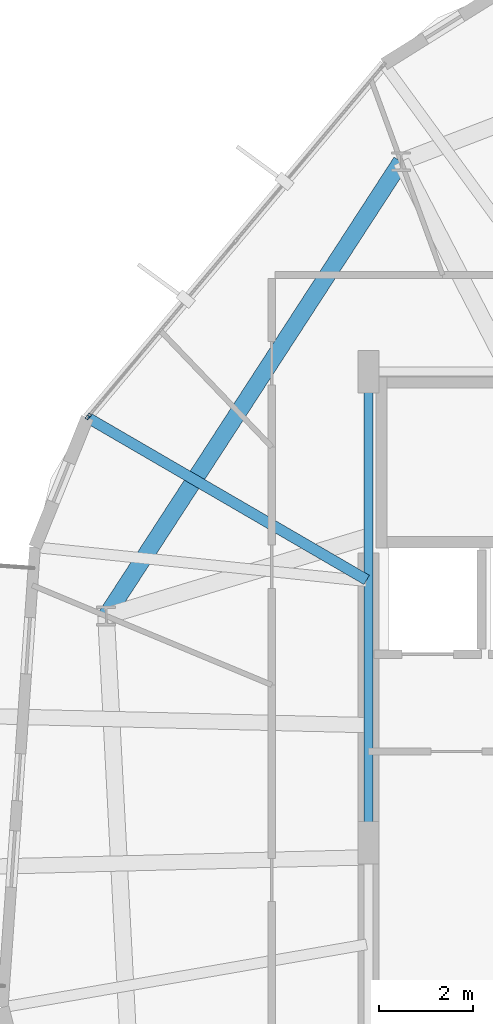
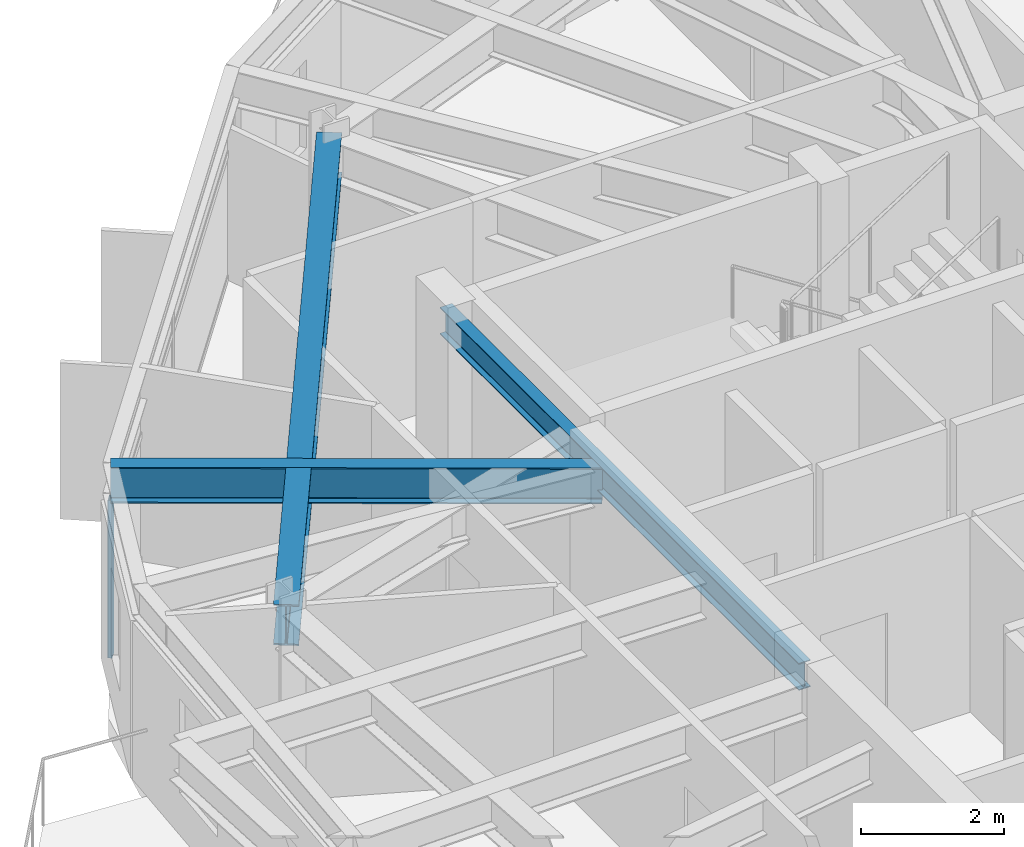
# One storey, part 6 of 23: 3 beams, 1 member, 1 element without a shape of its own.
"""IFC4 building model written with IfcOpenShell, lengths in metres."""

from ifc_helpers import new_model, si_unit, direction, frame, origin, origin_2d, place, context, subcontext, project, spatial, hollow_rectangle, i_section, extrude, material, layer, layer_set, material_profile, profile_set, type_object, element, aggregate, save


model = new_model("IFC4")

# Units and contexts
model_context = context("Model", 3, precision=1e-05, world=origin(), true_north=direction((0.0, 1.0)))
body_context = subcontext(model_context, "Body", "Model", "MODEL_VIEW")
ifc_project = project(units=[si_unit("LENGTHUNIT", "METRE"), si_unit("AREAUNIT", "SQUARE_METRE"), si_unit("VOLUMEUNIT", "CUBIC_METRE"), si_unit("PLANEANGLEUNIT", "RADIAN"), si_unit("MASSUNIT", "GRAM", prefix="KILO")], contexts=[model_context])

# Site, building, storey
site_placement = place(None, origin())
site = spatial("IfcSite", under=ifc_project, at=site_placement, CompositionType="ELEMENT")
building_placement = place(site_placement, origin())
building = spatial("IfcBuilding", under=site, at=building_placement, Name="Soratama Intermodal Tower", CompositionType="ELEMENT")
storey_placement = place(building_placement, frame((0.0, 0.0, 215.800048828125)))
storey = spatial("IfcBuildingStorey", under=building, at=storey_placement, Name="L54", CompositionType="ELEMENT", Elevation=215.800048828125)

# Beams
ifc_material_1 = material(Name="Structural steel ASTM A992 Grade 50", Category="steel")
ifc_material_profile_1 = material_profile(ifc_material_1, i_section(OverallWidth=0.19091796875, OverallDepth=0.4599609375, WebThickness=0.010009765625, FlangeThickness=0.01611328125, FilletRadius=0.010986328125, at=origin_2d()), Name="W18X55")
ifc_profile_set_1 = profile_set([ifc_material_profile_1], Name="Structural steel ASTM A992 Grade 50")
beam_type_1 = type_object("IfcBeamType", Name="BM-FLR-W18X55", PredefinedType="BEAM", material=ifc_profile_set_1)
beam_1_placement = place(storey_placement, frame((32.60009765625, 35.0, 3.070068359375), z_axis=(0.0, -1.0, 0.0), x_axis=(1.0, 0.0, 0.0)))
element("IfcBeam", 1, at=beam_1_placement, inside=storey, type_object=beam_type_1, Name="BM-L54-CRING-08", PredefinedType="BEAM", context=body_context, shape_type="SweptSolid", body=[
    extrude(i_section(OverallWidth=0.19091796875, OverallDepth=0.4599609375, WebThickness=0.010009765625, FlangeThickness=0.01611328125, FilletRadius=0.010986328125, at=origin_2d()), origin(), (0.0, 0.0, 1.0), 10.0),
])
ifc_material_2 = material(Name="Structural steel ASTM A992 Grade 50", Category="steel")
ifc_material_profile_2 = material_profile(ifc_material_2, i_section(OverallWidth=0.35498046875, OverallDepth=0.695068359375, WebThickness=0.015380859375, FlangeThickness=0.02490234375, FilletRadius=0.01611328125, at=origin_2d()), Name="W27X146")
ifc_profile_set_2 = profile_set([ifc_material_profile_2], Name="Structural steel ASTM A992 Grade 50")
beam_type_2 = type_object("IfcBeamType", Name="BM-RING-W27X146", PredefinedType="BEAM", material=ifc_profile_set_2)
beam_2_placement = place(storey_placement, frame((33.294921875, 39.455078125, 2.952392578125), z_axis=(-0.544637453764, -0.83867159482, 0.0), x_axis=(0.83867159482, -0.544637453764, 0.0)))
element("IfcBeam", 2, at=beam_2_placement, inside=storey, type_object=beam_type_2, Name="BM-L54-RING-04", PredefinedType="BEAM", context=body_context, shape_type="SweptSolid", body=[
    extrude(i_section(OverallWidth=0.35498046875, OverallDepth=0.695068359375, WebThickness=0.015380859375, FlangeThickness=0.02490234375, FilletRadius=0.01611328125, at=origin_2d()), origin(), (0.0, 0.0, 1.0), 11.49560546875),
])
ifc_material_3 = material(Name="Structural steel ASTM A992 Grade 50", Category="steel")
ifc_material_profile_3 = material_profile(ifc_material_3, i_section(OverallWidth=0.22900390625, OverallDepth=0.612060546875, WebThickness=0.011962890625, FlangeThickness=0.01953125, FilletRadius=0.012939453125, at=origin_2d()), Name="W24X84")
ifc_profile_set_3 = profile_set([ifc_material_profile_3], Name="Structural steel ASTM A992 Grade 50")
beam_type_3 = type_object("IfcBeamType", Name="BM-TIE-W24X84", PredefinedType="BEAM", material=ifc_profile_set_3)
beam_3_placement = place(storey_placement, frame((32.56494140625, 30.580078125, 2.993896484375), z_axis=(-0.864515463051, 0.502606221753, 0.0), x_axis=(-0.502606221753, -0.864515463051, 0.0)))
element("IfcBeam", 3, at=beam_3_placement, inside=storey, type_object=beam_type_3, Name="BM-L54-TIE1-03", PredefinedType="BEAM", context=body_context, shape_type="SweptSolid", body=[
    extrude(i_section(OverallWidth=0.22900390625, OverallDepth=0.612060546875, WebThickness=0.011962890625, FlangeThickness=0.01953125, FilletRadius=0.012939453125, at=origin_2d()), origin(), (0.0, 0.0, 1.0), 6.85595703125),
])

# Curtain wall, member
ifc_material_4 = material(Name="Double-glazed aluminium curtain wall", Category="aluminium")
ifc_layer = layer(ifc_material_4, 0.159912109375)
ifc_layer_set = layer_set([ifc_layer], Name="Double-glazed aluminium curtain wall")
curtain_wall_type = type_object("IfcCurtainWallType", Name="CW-SYS-5", PredefinedType="NOTDEFINED", material=ifc_layer_set)
curtain_wall_placement = place(storey_placement, origin())
curtain_wall = element("IfcCurtainWall", 4, at=curtain_wall_placement, inside=storey, type_object=curtain_wall_type, Name="L54 Faceted Curtain Wall F03", PredefinedType="NOTDEFINED")
ifc_material_5 = material(Name="Anodised aluminium AA 6063-T6", Category="aluminium")
ifc_material_profile_4 = material_profile(ifc_material_5, hollow_rectangle(XDim=0.06494140625, YDim=0.139892578125, WallThickness=0.0048828125, InnerFilletRadius=0.0048828125, OuterFilletRadius=0.010009765625, at=origin_2d()), Name="CWM140X65X5")
ifc_profile_set_4 = profile_set([ifc_material_profile_4], Name="Anodised aluminium AA 6063-T6")
member_type = type_object("IfcMemberType", Name="MT-CWM-5", PredefinedType="MULLION", material=ifc_profile_set_4)
member_placement = place(storey_placement, frame((26.65771484375, 34.049072265625, 0.0), z_axis=(0.0, 0.0, 1.0), x_axis=(0.76582316527, -0.643051226214, 0.0)))
member = element("IfcMember", 5, at=member_placement, type_object=member_type, Name="CW-5 mullion 3", PredefinedType="MULLION", context=body_context, shape_type="SweptSolid", body=[
    extrude(hollow_rectangle(XDim=0.06494140625, YDim=0.139892578125, WallThickness=0.0048828125, InnerFilletRadius=0.0048828125, OuterFilletRadius=0.010009765625, at=origin_2d()), origin(), (0.0, 0.0, 1.0), 2.678955078125),
])
aggregate(curtain_wall, [member])

save(model, "model.ifc")
